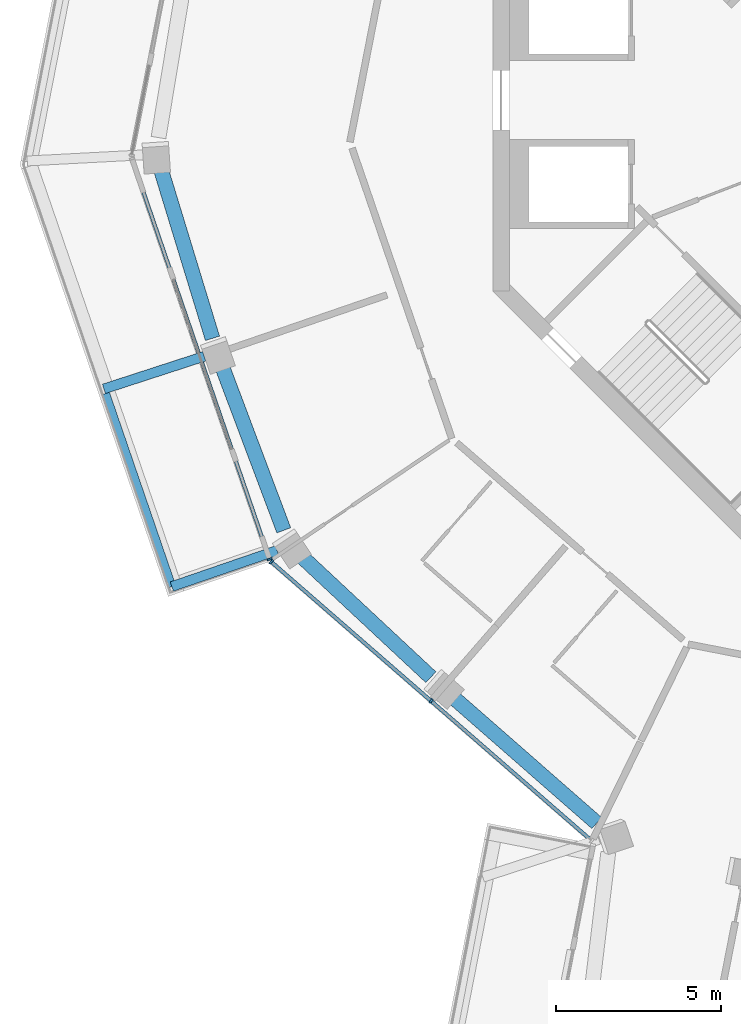
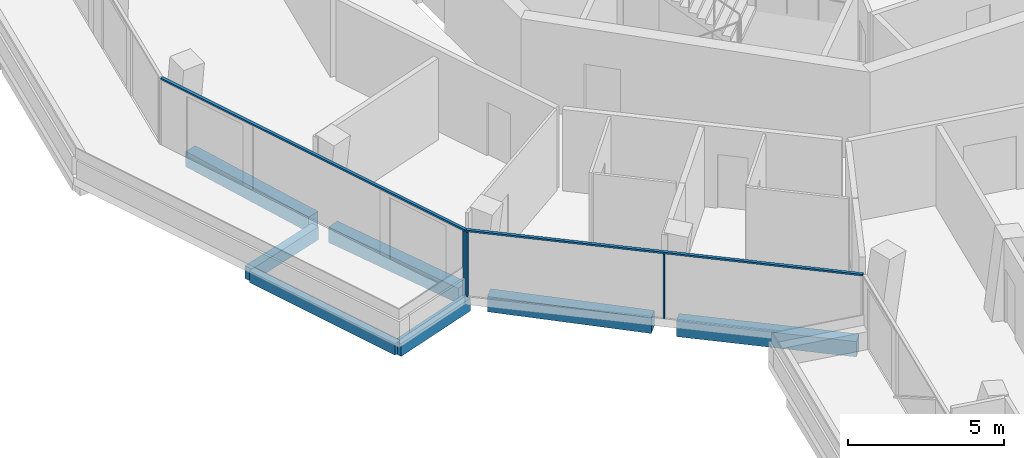
# One storey, part 3 of 22: 7 beams, 5 members, 2 elements without a shape of their own.
"""IFC4 building model written with IfcOpenShell, lengths in metres."""

from ifc_helpers import new_model, si_unit, direction, frame, origin, origin_2d, place, context, subcontext, project, spatial, rectangle, extrude, material, layer, layer_set, material_profile, profile_set, type_object, element, aggregate, save


model = new_model("IFC4")

# Units and contexts
model_context = context("Model", 3, precision=1e-05, world=origin(), true_north=direction((0.0, 1.0)))
body_context = subcontext(model_context, "Body", "Model", "MODEL_VIEW")
ifc_project = project(units=[si_unit("LENGTHUNIT", "METRE"), si_unit("AREAUNIT", "SQUARE_METRE"), si_unit("VOLUMEUNIT", "CUBIC_METRE"), si_unit("PLANEANGLEUNIT", "RADIAN"), si_unit("MASSUNIT", "GRAM", prefix="KILO")], contexts=[model_context])

# Site, building, storey
site_placement = place(None, origin())
site = spatial("IfcSite", under=ifc_project, at=site_placement, CompositionType="ELEMENT")
building_placement = place(site_placement, origin())
building = spatial("IfcBuilding", under=site, at=building_placement, Name="Verdalira Terraces Hotel", CompositionType="ELEMENT")
storey_placement = place(building_placement, frame((0.0, 0.0, 234.0)))
storey = spatial("IfcBuildingStorey", under=building, at=storey_placement, Name="L57", CompositionType="ELEMENT", Elevation=234.0)

# Beams
ifc_material_1 = material(Name="Concrete C40", Category="concrete")
ifc_material_profile_1 = material_profile(ifc_material_1, rectangle(XDim=0.300049, YDim=0.5, at=origin_2d()), Name="RC 300X500")
ifc_profile_set_1 = profile_set([ifc_material_profile_1], Name="Concrete C40")
beam_type_1 = type_object("IfcBeamType", Name="Balcony cantilever beam RC 300X500 C40", PredefinedType="BEAM", material=ifc_profile_set_1)
beam_1_placement = place(storey_placement, frame((-22.766357, -7.7771, -0.560059), z_axis=(-0.951066014, -0.308987763, 0.0), x_axis=(0.308987763, -0.951066014, 0.0)))
element("IfcBeam", 1, at=beam_1_placement, inside=storey, type_object=beam_type_1, Name="Balcony cantilever beam R11-1", PredefinedType="BEAM", context=body_context, shape_type="SweptSolid", body=[
    extrude(rectangle(XDim=0.300049, YDim=0.5, at=origin_2d()), origin(), (0.0, 0.0, 1.0), 3.200928),
])
beam_2_placement = place(storey_placement, frame((-20.553223, -13.67041, -0.560059), z_axis=(-0.945753224, -0.324885887, 0.0), x_axis=(0.324885887, -0.945753224, 0.0)))
element("IfcBeam", 2, at=beam_2_placement, inside=storey, type_object=beam_type_1, Name="Balcony cantilever beam R11-2", PredefinedType="BEAM", context=body_context, shape_type="SweptSolid", body=[
    extrude(rectangle(XDim=0.300049, YDim=0.5, at=origin_2d()), origin(), (0.0, 0.0, 1.0), 3.378662),
])
ifc_material_2 = material(Name="Concrete C40", Category="concrete")
ifc_material_profile_2 = material_profile(ifc_material_2, rectangle(XDim=0.25, YDim=0.449951, at=origin_2d()), Name="RC 250X450")
ifc_profile_set_2 = profile_set([ifc_material_profile_2], Name="Concrete C40")
beam_type_2 = type_object("IfcBeamType", Name="Balcony edge beam RC 250X450 C40", PredefinedType="BEAM", material=ifc_profile_set_2)
beam_3_placement = place(storey_placement, frame((-25.761719, -8.908203, -0.534912), z_axis=(0.324914582, -0.945743366, 0.0), x_axis=(0.945743366, 0.324914582, 0.0)))
element("IfcBeam", 3, at=beam_3_placement, inside=storey, type_object=beam_type_2, Name="Balcony edge beam R11-1", PredefinedType="BEAM", context=body_context, shape_type="SweptSolid", body=[
    extrude(rectangle(XDim=0.25, YDim=0.449951, at=origin_2d()), origin(), (0.0, 0.0, 1.0), 6.196045),
])

# Curtain wall, member
ifc_material_3 = material(Name="Clear glass", Category="glass")
ifc_layer = layer(ifc_material_3, 0.14990234375)
ifc_layer_set = layer_set([ifc_layer], Name="CW1 curtain wall")
curtain_wall_type = type_object("IfcCurtainWallType", Name="CW1 curtain wall", PredefinedType="NOTDEFINED", material=ifc_layer_set)
curtain_wall_1_placement = place(storey_placement, origin())
curtain_wall_1 = element("IfcCurtainWall", 4, at=curtain_wall_1_placement, inside=storey, type_object=curtain_wall_type, Name="CW1 curtain wall L57 edge 12", PredefinedType="NOTDEFINED")
ifc_material_4 = material(Name="Terracotta frame", Category="masonry")
ifc_material_profile_3 = material_profile(ifc_material_4, rectangle(XDim=0.060059, YDim=0.149902, at=origin_2d()), Name="MU 60x150")
ifc_profile_set_3 = profile_set([ifc_material_profile_3], Name="Terracotta frame")
member_type_1 = type_object("IfcMemberType", Name="CW1 mullion 60x150", PredefinedType="MULLION", material=ifc_profile_set_3)
member_1_placement = place(storey_placement, frame((-20.782227, -13.938232, 0.0), z_axis=(0.0, 0.0, 1.0), x_axis=(0.324907979, -0.945745635, 0.0)))
member_1 = element("IfcMember", 5, at=member_1_placement, type_object=member_type_1, Name="CW1 mullion", PredefinedType="MULLION", context=body_context, shape_type="SweptSolid", body=[
    extrude(rectangle(XDim=0.060059, YDim=0.149902, at=origin_2d()), origin(), (0.0, 0.0, 1.0), 2.524902),
])

# Curtain wall, members
curtain_wall_2_placement = place(storey_placement, origin())
curtain_wall_2 = element("IfcCurtainWall", 6, at=curtain_wall_2_placement, inside=storey, type_object=curtain_wall_type, Name="CW1 curtain wall L57 edge 13", PredefinedType="NOTDEFINED")
member_2_placement = place(storey_placement, frame((-20.728027, -14.018555, 0.0), z_axis=(0.0, 0.0, 1.0), x_axis=(0.754251381, -0.656585756, 0.0)))
member_2 = element("IfcMember", 7, at=member_2_placement, type_object=member_type_1, Name="CW1 mullion", PredefinedType="MULLION", context=body_context, shape_type="SweptSolid", body=[
    extrude(rectangle(XDim=0.060059, YDim=0.149902, at=origin_2d()), origin(), (0.0, 0.0, 1.0), 2.524902),
])
member_3_placement = place(storey_placement, frame((-15.878418, -18.240234, 0.0), z_axis=(0.0, 0.0, 1.0), x_axis=(0.754251381, -0.656585756, 0.0)))
member_3 = element("IfcMember", 8, at=member_3_placement, type_object=member_type_1, Name="CW1 mullion", PredefinedType="MULLION", context=body_context, shape_type="SweptSolid", body=[
    extrude(rectangle(XDim=0.060059, YDim=0.149902, at=origin_2d()), origin(), (0.0, 0.0, 1.0), 2.524902),
])

# Member
ifc_material_5 = material(Name="Terracotta frame", Category="masonry")
ifc_material_profile_4 = material_profile(ifc_material_5, rectangle(XDim=0.110107, YDim=0.064941, at=origin_2d()), Name="TR 65x110")
ifc_profile_set_4 = profile_set([ifc_material_profile_4], Name="Terracotta frame")
member_type_2 = type_object("IfcMemberType", Name="CW1 transom 65x110", PredefinedType="USERDEFINED", material=ifc_profile_set_4)
member_4_placement = place(storey_placement, frame((-24.970215, -1.748047, 2.557617), z_axis=(0.324910765, -0.945744677, 0.0), x_axis=(0.945744677, 0.324910765, 0.0)))
member_4 = element("IfcMember", 9, at=member_4_placement, type_object=member_type_2, Name="CW1 transom", ObjectType="TRANSOM", PredefinedType="USERDEFINED", context=body_context, shape_type="SweptSolid", body=[
    extrude(rectangle(XDim=0.110107, YDim=0.064941, at=origin_2d()), origin(), (0.0, 0.0, 1.0), 12.919678),
])

aggregate(curtain_wall_1, [member_1, member_4])

member_5_placement = place(storey_placement, frame((-20.750732, -13.998779, 2.557617), z_axis=(0.754247705, -0.656589978, 0.0), x_axis=(0.656589978, 0.754247705, 0.0)))
member_5 = element("IfcMember", 10, at=member_5_placement, type_object=member_type_2, Name="CW1 transom", ObjectType="TRANSOM", PredefinedType="USERDEFINED", context=body_context, shape_type="SweptSolid", body=[
    extrude(rectangle(XDim=0.110107, YDim=0.064941, at=origin_2d()), origin(), (0.0, 0.0, 1.0), 12.959717),
])

aggregate(curtain_wall_2, [member_2, member_3, member_5])

# Beams
ifc_material_6 = material(Name="Concrete C40", Category="concrete")
ifc_material_profile_5 = material_profile(ifc_material_6, rectangle(XDim=0.449951, YDim=0.600098, at=origin_2d()), Name="RC 450X600")
ifc_profile_set_5 = profile_set([ifc_material_profile_5], Name="Concrete C40")
beam_type_3 = type_object("IfcBeamType", Name="Spandrel beam RC 450X600 C40", PredefinedType="SPANDREL", material=ifc_profile_set_5)
beam_4_placement = place(storey_placement, frame((-24.09082, -2.070068, -0.610107), z_axis=(0.291913962, -0.956444582, 0.0), x_axis=(0.956444582, 0.291913962, 0.0)))
element("IfcBeam", 11, at=beam_4_placement, inside=storey, type_object=beam_type_3, Name="Spandrel beam B04", PredefinedType="SPANDREL", context=body_context, shape_type="SweptSolid", body=[
    extrude(rectangle(XDim=0.449951, YDim=0.600098, at=origin_2d()), origin(), (0.0, 0.0, 1.0), 5.396973),
])
beam_5_placement = place(storey_placement, frame((-22.249512, -8.012207, -0.610107), z_axis=(0.352100308, -0.935962271, 0.0), x_axis=(0.935962271, 0.352100308, 0.0)))
element("IfcBeam", 12, at=beam_5_placement, inside=storey, type_object=beam_type_3, Name="Spandrel beam B05", PredefinedType="SPANDREL", context=body_context, shape_type="SweptSolid", body=[
    extrude(rectangle(XDim=0.449951, YDim=0.600098, at=origin_2d()), origin(), (0.0, 0.0, 1.0), 5.394531),
])
beam_6_placement = place(storey_placement, frame((-19.828125, -13.837891, -0.610107), z_axis=(0.730981553, -0.682397223, 0.0), x_axis=(0.682397223, 0.730981553, 0.0)))
element("IfcBeam", 13, at=beam_6_placement, inside=storey, type_object=beam_type_3, Name="Spandrel beam B06", PredefinedType="SPANDREL", context=body_context, shape_type="SweptSolid", body=[
    extrude(rectangle(XDim=0.449951, YDim=0.600098, at=origin_2d()), origin(), (0.0, 0.0, 1.0), 5.396973),
])
beam_7_placement = place(storey_placement, frame((-15.280518, -18.065674, -0.610107), z_axis=(0.752335381, -0.658780293, 0.0), x_axis=(0.658780293, 0.752335381, 0.0)))
element("IfcBeam", 14, at=beam_7_placement, inside=storey, type_object=beam_type_3, Name="Spandrel beam B07", PredefinedType="SPANDREL", context=body_context, shape_type="SweptSolid", body=[
    extrude(rectangle(XDim=0.449951, YDim=0.600098, at=origin_2d()), origin(), (0.0, 0.0, 1.0), 5.892578),
])

save(model, "model.ifc")
